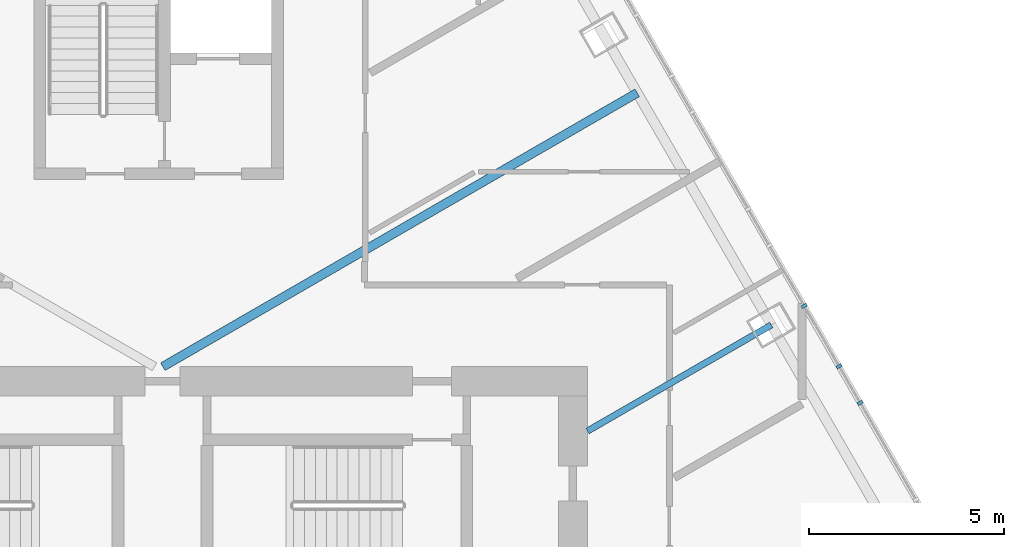
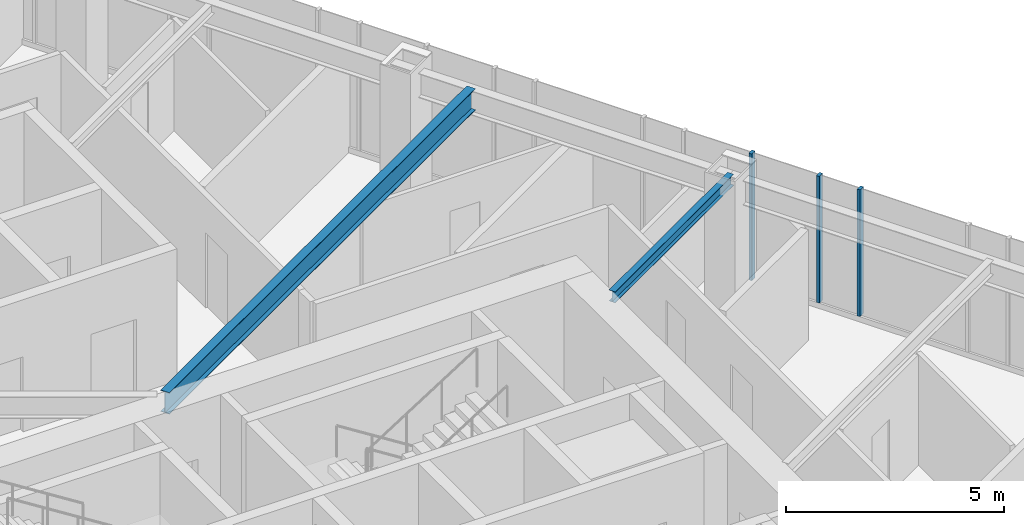
# One storey, part 8 of 24: 3 members, 2 beams, 1 element without a shape of its own.
"""IFC4 building model written with IfcOpenShell, lengths in metres."""

from ifc_helpers import new_model, si_unit, direction, frame, origin, origin_2d, place, context, subcontext, project, spatial, rectangle, i_section, extrude, material, layer, layer_set, material_profile, profile_set, type_object, element, aggregate, save


model = new_model("IFC4")

# Units and contexts
model_context = context("Model", 3, precision=1e-05, world=origin(), true_north=direction((0.0, 1.0)))
body_context = subcontext(model_context, "Body", "Model", "MODEL_VIEW")
ifc_project = project(units=[si_unit("LENGTHUNIT", "METRE"), si_unit("AREAUNIT", "SQUARE_METRE"), si_unit("VOLUMEUNIT", "CUBIC_METRE"), si_unit("PLANEANGLEUNIT", "RADIAN"), si_unit("MASSUNIT", "GRAM", prefix="KILO")], contexts=[model_context])

# Site, building, storey
site_placement = place(None, origin())
site = spatial("IfcSite", under=ifc_project, at=site_placement, CompositionType="ELEMENT")
building_placement = place(site_placement, origin())
building = spatial("IfcBuilding", under=site, at=building_placement, Name="Firuza Gate Tower and Library", CompositionType="ELEMENT")
storey_placement = place(building_placement, frame((0.0, 0.0, 206.5)))
storey = spatial("IfcBuildingStorey", under=building, at=storey_placement, Name="L48", CompositionType="ELEMENT", Elevation=206.5)

# Curtain wall, members
ifc_material_1 = material(Name="Aluminium 6063-T6", Category="aluminium")
ifc_layer = layer(ifc_material_1, 0.14990234375)
ifc_layer_set = layer_set([ifc_layer], Name="Unitised curtain wall, hotel")
curtain_wall_type = type_object("IfcCurtainWallType", Name="Unitised curtain wall, hotel", PredefinedType="NOTDEFINED", material=ifc_layer_set)
curtain_wall_placement = place(storey_placement, origin())
curtain_wall = element("IfcCurtainWall", 1, at=curtain_wall_placement, inside=storey, type_object=curtain_wall_type, Name="CW2 L48 E face", PredefinedType="NOTDEFINED")
ifc_material_2 = material(Name="Aluminium 6063-T6", Category="aluminium")
ifc_material_profile_1 = material_profile(ifc_material_2, rectangle(XDim=0.14990234375, YDim=0.080078125, at=origin_2d()))
ifc_profile_set_1 = profile_set([ifc_material_profile_1], Name="Aluminium 6063-T6")
member_type = type_object("IfcMemberType", Name="Curtain wall mullion 80x150", PredefinedType="MULLION", material=ifc_profile_set_1)
member_1_placement = place(storey_placement, frame((92.990234375, 82.073486328125, 0.14990234375), z_axis=(0.0, 0.0, 1.0), x_axis=(-0.866025403784, -0.5, 0.0)))
member_1 = element("IfcMember", 2, at=member_1_placement, type_object=member_type, Name="Mullion", PredefinedType="MULLION", context=body_context, shape_type="SweptSolid", body=[
    extrude(rectangle(XDim=0.14990234375, YDim=0.080078125, at=origin_2d()), origin(), (0.0, 0.0, 1.0), 3.550048828125),
])
member_2_placement = place(storey_placement, frame((91.5556640625, 84.558349609375, 0.14990234375), z_axis=(0.0, 0.0, 1.0), x_axis=(-0.866025403784, -0.5, 0.0)))
member_2 = element("IfcMember", 3, at=member_2_placement, type_object=member_type, Name="Mullion", PredefinedType="MULLION", context=body_context, shape_type="SweptSolid", body=[
    extrude(rectangle(XDim=0.14990234375, YDim=0.080078125, at=origin_2d()), origin(), (0.0, 0.0, 1.0), 3.550048828125),
])
member_3_placement = place(storey_placement, frame((92.44873046875, 83.01123046875, 0.14990234375), z_axis=(0.0, 0.0, 1.0), x_axis=(-0.866025403784, -0.5, 0.0)))
member_3 = element("IfcMember", 4, at=member_3_placement, type_object=member_type, Name="Mullion", PredefinedType="MULLION", context=body_context, shape_type="SweptSolid", body=[
    extrude(rectangle(XDim=0.14990234375, YDim=0.080078125, at=origin_2d()), origin(), (0.0, 0.0, 1.0), 3.550048828125),
])
aggregate(curtain_wall, [member_1, member_2, member_3])

# Beams
ifc_material_3 = material(Name="Steel S355", Category="steel")
ifc_material_profile_2 = material_profile(ifc_material_3, i_section(OverallWidth=0.1650390625, OverallDepth=0.31005859375, WebThickness=0.005859375, FlangeThickness=0.009765625, at=origin_2d()))
ifc_profile_set_2 = profile_set([ifc_material_profile_2], Name="Steel S355")
beam_type_1 = type_object("IfcBeamType", Name="W310x39 Floor beam", PredefinedType="JOIST", material=ifc_profile_set_2)
beam_1_placement = place(storey_placement, frame((90.711181640625, 84.07080078125, 3.544921875), z_axis=(-0.866027894023, -0.499995686755, 0.0), x_axis=(0.499995686755, -0.866027894023, 0.0)))
element("IfcBeam", 5, at=beam_1_placement, inside=storey, type_object=beam_type_1, Name="Floor beam L48 s52", PredefinedType="JOIST", context=body_context, shape_type="SweptSolid", body=[
    extrude(i_section(OverallWidth=0.1650390625, OverallDepth=0.31005859375, WebThickness=0.005859375, FlangeThickness=0.009765625, at=origin_2d()), origin(), (0.0, 0.0, 1.0), 5.43994140625),
])
ifc_material_4 = material(Name="Steel S355", Category="steel")
ifc_material_profile_3 = material_profile(ifc_material_4, i_section(OverallWidth=0.22802734375, OverallDepth=0.60302734375, WebThickness=0.010498046875, FlangeThickness=0.014892578125, at=origin_2d()))
ifc_profile_set_3 = profile_set([ifc_material_profile_3], Name="Steel S355")
beam_type_2 = type_object("IfcBeamType", Name="W610x101 Floor beam", PredefinedType="JOIST", material=ifc_profile_set_3)
beam_2_placement = place(storey_placement, frame((87.273681640625, 90.024658203125, 3.3984375), z_axis=(-0.866028453965, -0.499994716896, 0.0), x_axis=(0.499994716896, -0.866028453965, 0.0)))
element("IfcBeam", 6, at=beam_2_placement, inside=storey, type_object=beam_type_2, Name="Floor beam L48 s53", PredefinedType="JOIST", context=body_context, shape_type="SweptSolid", body=[
    extrude(i_section(OverallWidth=0.22802734375, OverallDepth=0.60302734375, WebThickness=0.010498046875, FlangeThickness=0.014892578125, at=origin_2d()), origin(), (0.0, 0.0, 1.0), 14.049560546875),
])

save(model, "model.ifc")
